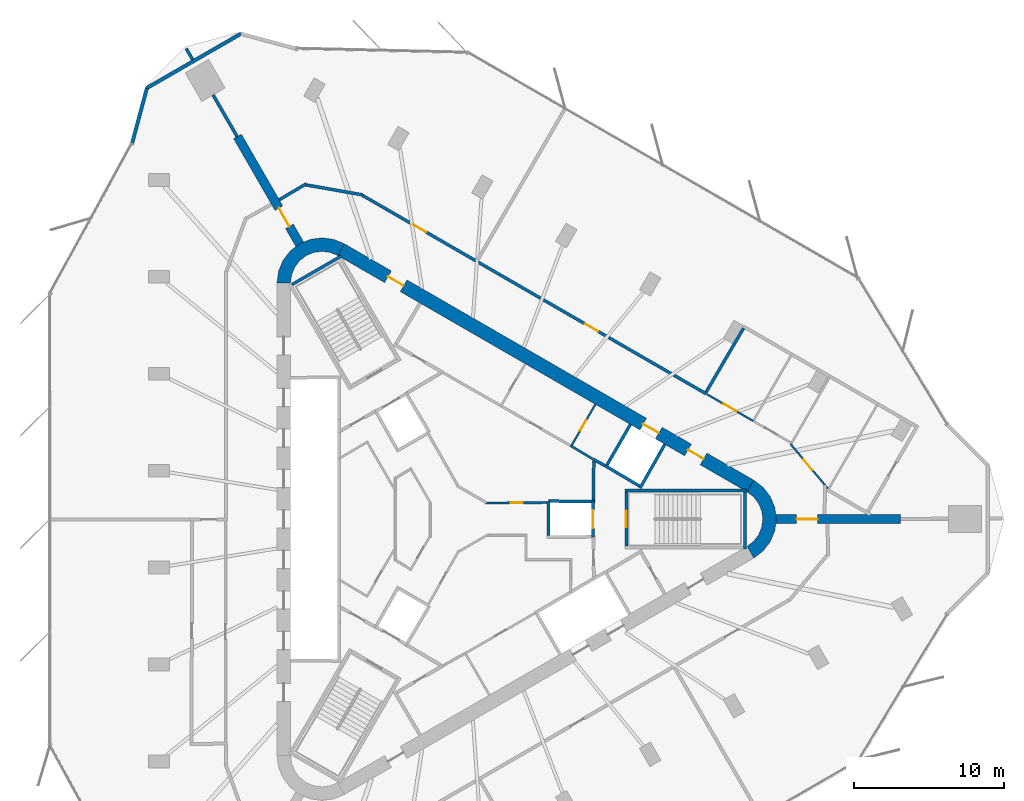
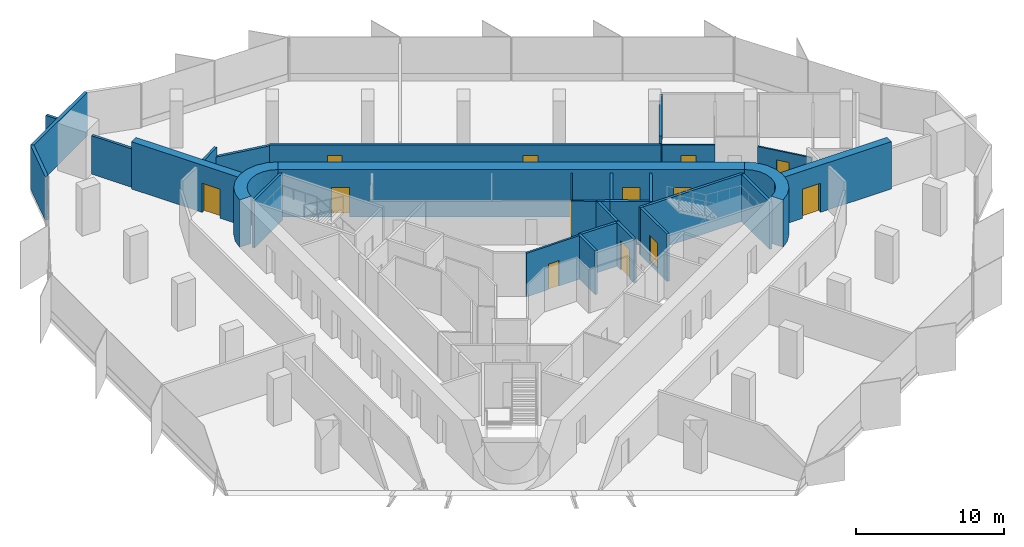
# One storey, part 10 of 12: 30 walls, 13 doors, 13 openings.
"""IFC4 building model written with IfcOpenShell, lengths in metres."""

from ifc_helpers import new_model, si_unit, direction, frame, frame_2d, origin, place, context, subcontext, project, spatial, polyline, rectangle, outline, extrude, material, layer, layer_set, type_object, element, fill, save


model = new_model("IFC4")

# Units and contexts
model_context = context("Model", 3, precision=1e-05, world=origin(), true_north=direction((0.0, 1.0)))
body_context = subcontext(model_context, "Body", "Model", "MODEL_VIEW")
ifc_project = project(units=[si_unit("LENGTHUNIT", "METRE"), si_unit("AREAUNIT", "SQUARE_METRE"), si_unit("VOLUMEUNIT", "CUBIC_METRE"), si_unit("PLANEANGLEUNIT", "RADIAN"), si_unit("MASSUNIT", "GRAM", prefix="KILO")], contexts=[model_context])

# Site, building, storey
site_placement = place(None, origin())
site = spatial("IfcSite", under=ifc_project, at=site_placement, CompositionType="ELEMENT")
building_placement = place(site_placement, origin())
building = spatial("IfcBuilding", under=site, at=building_placement, Name="Tanit Gate Tower", CompositionType="ELEMENT")
storey_placement = place(building_placement, frame((0.0, 0.0, 337.699951171875)))
storey = spatial("IfcBuildingStorey", under=building, at=storey_placement, Name="L76", CompositionType="ELEMENT", Elevation=337.699951171875)

# Wall, opening, door
ifc_material_1 = material(Name="Concrete C40/50", Category="concrete")
ifc_layer_1 = layer(ifc_material_1, 0.60009765625)
ifc_layer_set_1 = layer_set([ifc_layer_1], Name="BUTTRESS FIN 600 C40/50")
wall_type_1 = type_object("IfcWallType", Name="BUTTRESS FIN 600 C40/50", PredefinedType="SHEAR", material=ifc_layer_set_1)
wall_1_placement = place(storey_placement, frame((21.14990234375, 0.0, 0.0), z_axis=(0.0, 0.0, 1.0), x_axis=(1.0, 0.0, 0.0)))
wall_1 = element("IfcWall", 1, at=wall_1_placement, inside=storey, type_object=wall_type_1, Name="BUTTRESS FIN", PredefinedType="SHEAR", context=body_context, shape_type="SweptSolid", body=[
    extrude(rectangle(XDim=8.32080078125, YDim=0.60009765625, at=frame_2d((4.160400390625, 0.0))), origin(), (0.0, 0.0, 1.0), 3.900146484375),
])
opening_1_placement = place(wall_1_placement, frame((1.39990234375, 0.0, 0.0)))
opening_1 = element("IfcOpeningElement", 2, at=opening_1_placement, cuts=wall_1, Name="Opening P14-S21-F-E-1", PredefinedType="OPENING", context=body_context, shape_type="SweptSolid", body=[
    extrude(rectangle(XDim=1.39990234375, YDim=2.39990234375, at=frame_2d((0.699951171875, 1.199951171875))), frame((0.0, 0.31005859375, 0.0), z_axis=(0.0, -1.0, 0.0), x_axis=(1.0, 0.0, 0.0)), (0.0, 0.0, 1.0), 0.6201171875),
])
ifc_material_2 = material(Name="Timber door leaf", Category="wood")
door_type_1 = type_object("IfcDoorType", Name="INT-DOOR-FIN-PAIR-1400", OperationType="NOTDEFINED", PredefinedType="NOTDEFINED", material=ifc_material_2)
door_1_placement = place(opening_1_placement, origin())
door_1 = element("IfcDoor", 3, at=door_1_placement, inside=storey, type_object=door_type_1, Name="Door P14-S21-F-E-1", OperationType="DOUBLE_DOOR_SINGLE_SWING", OverallHeight=2.39990234375, OverallWidth=1.39990234375, PredefinedType="NOTDEFINED", context=body_context, shape_type="SweptSolid", body=[
    extrude(rectangle(XDim=1.39990234375, YDim=2.39990234375, at=frame_2d((0.699951171875, 1.199951171875))), frame((0.0, 0.02490234375, 0.0), z_axis=(0.0, -1.0, 0.0), x_axis=(1.0, 0.0, 0.0)), (0.0, 0.0, 1.0), 0.050048828125),
])
fill(opening_1, door_1)

wall_2_placement = place(storey_placement, frame((-10.574951171875, 18.31640625, 0.0), z_axis=(0.0, 0.0, 1.0), x_axis=(-0.499998447599, 0.866026300061, 0.0)))
wall_2 = element("IfcWall", 4, at=wall_2_placement, inside=storey, type_object=wall_type_1, Name="BUTTRESS FIN", PredefinedType="SHEAR", context=body_context, shape_type="SweptSolid", body=[
    extrude(rectangle(XDim=8.32080078125, YDim=0.60009765625, at=frame_2d((4.160400390625, 0.0))), origin(), (0.0, 0.0, 1.0), 3.900146484375),
])
opening_2_placement = place(wall_2_placement, frame((1.39990234375, 0.0, 0.0)))
opening_2 = element("IfcOpeningElement", 5, at=opening_2_placement, cuts=wall_2, Name="Opening P14-S21-F-NW-1", PredefinedType="OPENING", context=body_context, shape_type="SweptSolid", body=[
    extrude(rectangle(XDim=1.39990234375, YDim=2.39990234375, at=frame_2d((0.699951171875, 1.199951171875))), frame((0.0, 0.31005859375, 0.0), z_axis=(0.0, -1.0, 0.0), x_axis=(1.0, 0.0, 0.0)), (0.0, 0.0, 1.0), 0.6201171875),
])
door_2_placement = place(opening_2_placement, origin())
door_2 = element("IfcDoor", 6, at=door_2_placement, inside=storey, type_object=door_type_1, Name="Door P14-S21-F-NW-1", OperationType="DOUBLE_DOOR_SINGLE_SWING", OverallHeight=2.39990234375, OverallWidth=1.39990234375, PredefinedType="NOTDEFINED", context=body_context, shape_type="SweptSolid", body=[
    extrude(rectangle(XDim=1.39990234375, YDim=2.39990234375, at=frame_2d((0.699951171875, 1.199951171875))), frame((0.0, 0.02490234375, 0.0), z_axis=(0.0, -1.0, 0.0), x_axis=(1.0, 0.0, 0.0)), (0.0, 0.0, 1.0), 0.050048828125),
])
fill(opening_2, door_2)

# Wall, openings, doors
ifc_material_3 = material(Name="Concrete C40/50", Category="concrete")
ifc_layer_2 = layer(ifc_material_3, 0.89990234375)
ifc_layer_set_2 = layer_set([ifc_layer_2], Name="CORE WALL 900 C40/50")
wall_type_2 = type_object("IfcWallType", Name="CORE WALL 900 C40/50", PredefinedType="SHEAR", material=ifc_layer_set_2)
wall_3_placement = place(storey_placement, frame((19.47509765625, 2.20849609375, 0.0), z_axis=(0.0, 0.0, 1.0), x_axis=(-0.866028369851, 0.499994862586, 0.0)))
wall_3 = element("IfcWall", 7, at=wall_3_placement, inside=storey, type_object=wall_type_2, Name="CORE WALL", PredefinedType="SHEAR", context=body_context, shape_type="SweptSolid", body=[
    extrude(rectangle(XDim=31.523193359375, YDim=0.89990234375, at=frame_2d((15.76171875, 0.0))), origin(), (0.0, 0.0, 1.0), 3.900146484375),
])
opening_3_placement = place(wall_3_placement, frame((7.0615234375, 0.0, 0.0)))
opening_3 = element("IfcOpeningElement", 8, at=opening_3_placement, cuts=wall_3, Name="Opening LDHL8-S21", PredefinedType="OPENING", context=body_context, shape_type="SweptSolid", body=[
    extrude(rectangle(XDim=1.199951171875, YDim=2.39990234375, at=frame_2d((0.60009765625, 1.199951171875))), frame((0.0, 0.4599609375, 0.0), z_axis=(0.0, -1.0, 0.0), x_axis=(1.0, 0.0, 0.0)), (0.0, 0.0, 1.0), 0.919921875),
])
opening_4_placement = place(wall_3_placement, frame((3.611572265625, 0.0, 0.0)))
opening_4 = element("IfcOpeningElement", 9, at=opening_4_placement, cuts=wall_3, Name="Opening F12-S21-FL1", PredefinedType="OPENING", context=body_context, shape_type="SweptSolid", body=[
    extrude(rectangle(XDim=1.199951171875, YDim=2.39990234375, at=frame_2d((0.60009765625, 1.199951171875))), frame((0.0, 0.4599609375, 0.0), z_axis=(0.0, -1.0, 0.0), x_axis=(1.0, 0.0, 0.0)), (0.0, 0.0, 1.0), 0.919921875),
])
opening_5_placement = place(wall_3_placement, frame((26.711669921875, 0.0, 0.0)))
opening_5 = element("IfcOpeningElement", 10, at=opening_5_placement, cuts=wall_3, Name="Opening F12-S21-S2", PredefinedType="OPENING", context=body_context, shape_type="SweptSolid", body=[
    extrude(rectangle(XDim=1.199951171875, YDim=2.39990234375, at=frame_2d((0.60009765625, 1.199951171875))), frame((0.0, 0.4599609375, 0.0), z_axis=(0.0, -1.0, 0.0), x_axis=(1.0, 0.0, 0.0)), (0.0, 0.0, 1.0), 0.919921875),
])
ifc_material_4 = material(Name="Fire-rated steel door leaf", Category="steel")
door_type_2 = type_object("IfcDoorType", Name="INT-DOOR-FIRE-LOBBY-1200", OperationType="NOTDEFINED", PredefinedType="USERDEFINED", material=ifc_material_4)
door_3_placement = place(opening_4_placement, origin())
door_3 = element("IfcDoor", 11, at=door_3_placement, inside=storey, type_object=door_type_2, Name="Door F12-S21-FL1", ObjectType="FIRE DOOR", OperationType="SINGLE_SWING_LEFT", OverallHeight=2.39990234375, OverallWidth=1.199951171875, PredefinedType="USERDEFINED", context=body_context, shape_type="SweptSolid", body=[
    extrude(rectangle(XDim=1.199951171875, YDim=2.39990234375, at=frame_2d((0.60009765625, 1.199951171875))), frame((0.0, 0.02490234375, 0.0), z_axis=(0.0, -1.0, 0.0), x_axis=(1.0, 0.0, 0.0)), (0.0, 0.0, 1.0), 0.050048828125),
])
fill(opening_4, door_3)
door_4_placement = place(opening_5_placement, origin())
door_4 = element("IfcDoor", 12, at=door_4_placement, inside=storey, type_object=door_type_2, Name="Door F12-S21-S2", ObjectType="FIRE DOOR", OperationType="SINGLE_SWING_LEFT", OverallHeight=2.39990234375, OverallWidth=1.199951171875, PredefinedType="USERDEFINED", context=body_context, shape_type="SweptSolid", body=[
    extrude(rectangle(XDim=1.199951171875, YDim=2.39990234375, at=frame_2d((0.60009765625, 1.199951171875))), frame((0.0, 0.02490234375, 0.0), z_axis=(0.0, -1.0, 0.0), x_axis=(1.0, 0.0, 0.0)), (0.0, 0.0, 1.0), 0.050048828125),
])
fill(opening_5, door_4)
ifc_material_5 = material(Name="Stainless steel sliding door leaf", Category="steel")
door_type_3 = type_object("IfcDoorType", Name="INT-DOOR-LANDING-1200", OperationType="NOTDEFINED", PredefinedType="USERDEFINED", material=ifc_material_5)
door_5_placement = place(opening_3_placement, origin())
door_5 = element("IfcDoor", 13, at=door_5_placement, inside=storey, type_object=door_type_3, Name="Door LDHL8-S21", ObjectType="LANDING DOOR", OperationType="SLIDING_TO_LEFT", OverallHeight=2.39990234375, OverallWidth=1.199951171875, PredefinedType="USERDEFINED", context=body_context, shape_type="SweptSolid", body=[
    extrude(rectangle(XDim=1.199951171875, YDim=2.39990234375, at=frame_2d((0.60009765625, 1.199951171875))), frame((0.0, 0.02490234375, 0.0), z_axis=(0.0, -1.0, 0.0), x_axis=(1.0, 0.0, 0.0)), (0.0, 0.0, 1.0), 0.050048828125),
])
fill(opening_3, door_5)

# Walls
wall_4_placement = place(storey_placement, origin())
element("IfcWall", 14, at=wall_4_placement, inside=storey, type_object=wall_type_2, Name="CORE WALL CORNER", PredefinedType="SHEAR", context=body_context, shape_type="SweptSolid", body=[
    extrude(outline(polyline([(-7.60009765625, 18.359619140625), (-8.323486328125, 18.659423828125), (-9.10009765625, 18.76171875), (-9.87646484375, 18.659423828125), (-10.60009765625, 18.359619140625), (-11.22119140625, 17.883056640625), (-11.697998046875, 17.26171875), (-11.997802734375, 16.5380859375), (-12.10009765625, 15.76171875), (-11.199951171875, 15.76171875), (-11.12841796875, 16.30517578125), (-10.918701171875, 16.811767578125), (-10.5849609375, 17.24658203125), (-10.14990234375, 17.580322265625), (-9.6435546875, 17.7900390625), (-9.10009765625, 17.86181640625), (-8.556396484375, 17.7900390625), (-8.050048828125, 17.580322265625), (-7.60009765625, 18.359619140625)])), origin(), (0.0, 0.0, 1.0), 3.900146484375),
])
wall_5_placement = place(storey_placement, origin())
element("IfcWall", 15, at=wall_5_placement, inside=storey, type_object=wall_type_2, Name="CORE WALL CORNER", PredefinedType="SHEAR", context=body_context, shape_type="SweptSolid", body=[
    extrude(outline(polyline([(19.699951171875, -2.59814453125), (20.3212890625, -2.121337890625), (20.798095703125, -1.5), (21.097900390625, -0.776611328125), (21.199951171875, 0.0), (21.097900390625, 0.776611328125), (20.798095703125, 1.5), (20.3212890625, 2.121337890625), (19.699951171875, 2.59814453125), (19.25, 1.818603515625), (19.684814453125, 1.48486328125), (20.018798828125, 1.050048828125), (20.228515625, 0.54345703125), (20.300048828125, 0.0), (20.228515625, -0.54345703125), (20.018798828125, -1.050048828125), (19.684814453125, -1.48486328125), (19.25, -1.818603515625), (19.699951171875, -2.59814453125)])), origin(), (0.0, 0.0, 1.0), 3.900146484375),
])
ifc_material_6 = material(Name="Concrete C30/37 with bronze anodised aluminium cladding", Category="concrete")
ifc_layer_3 = layer(ifc_material_6, 0.239990234375)
ifc_layer_set_3 = layer_set([ifc_layer_3], Name="Facade wall bronze clad 240")
wall_type_3 = type_object("IfcWallType", Name="Facade wall bronze clad 240", PredefinedType="SOLIDWALL", material=ifc_layer_set_3)
wall_6_placement = place(storey_placement, frame((-14.509521484375, 32.375244140625, 0.0), z_axis=(0.0, 0.0, 1.0), x_axis=(-0.866019457076, -0.500010299859, 0.0)))
element("IfcWall", 16, at=wall_6_placement, inside=storey, type_object=wall_type_3, Name="Bronze-clad facade wall L76 NW.arc2", PredefinedType="SOLIDWALL", context=body_context, shape_type="SweptSolid", body=[
    extrude(rectangle(XDim=7.243896484375, YDim=0.239990234375, at=frame_2d((3.6220703125, 0.0))), origin(), (0.0, 0.0, 1.0), 3.60009765625),
])
wall_7_placement = place(storey_placement, frame((-20.782958984375, 28.753173828125, 0.0), z_axis=(0.0, 0.0, 1.0), x_axis=(-0.258843233206, -0.965919344782, 0.0)))
element("IfcWall", 17, at=wall_7_placement, inside=storey, type_object=wall_type_3, Name="Bronze-clad facade wall L76 NW.arc3", PredefinedType="SOLIDWALL", context=body_context, shape_type="SweptSolid", body=[
    extrude(rectangle(XDim=3.79638671875, YDim=0.239990234375, at=frame_2d((1.898193359375, 0.0))), origin(), (0.0, 0.0, 1.0), 3.60009765625),
])
ifc_material_7 = material(Name="Fire-rated gypsum board partition")
ifc_layer_4 = layer(ifc_material_7, 0.199951171875)
ifc_layer_set_4 = layer_set([ifc_layer_4], Name="INT-WALL-COMPARTMENT")
wall_type_4 = type_object("IfcWallType", Name="INT-WALL-COMPARTMENT", PredefinedType="PARTITIONING", material=ifc_layer_set_4)
wall_8_placement = place(storey_placement, frame((8.97412109375, 3.998779296875, 0.0), z_axis=(0.0, 0.0, 1.0), x_axis=(0.880917147855, -0.473270513147, 0.0)))
element("IfcWall", 18, at=wall_8_placement, inside=storey, type_object=wall_type_4, Name="Wall Compartment W045", PredefinedType="PARTITIONING", context=body_context, shape_type="SweptSolid", body=[
    extrude(rectangle(XDim=0.8779296875, YDim=0.199951171875, at=frame_2d((0.43896484375, 0.0))), origin(), (0.0, 0.0, 1.0), 3.60009765625),
])
wall_9_placement = place(storey_placement, frame((9.0009765625, 1.27001953125, 0.0), z_axis=(0.0, 0.0, 1.0), x_axis=(0.010751103362, 0.999942205218, 0.0)))
element("IfcWall", 19, at=wall_9_placement, inside=storey, type_object=wall_type_4, Name="Wall Compartment W059", PredefinedType="PARTITIONING", context=body_context, shape_type="SweptSolid", body=[
    extrude(rectangle(XDim=2.72509765625, YDim=0.199951171875, at=frame_2d((1.362548828125, 0.0))), origin(), (0.0, 0.0, 1.0), 3.60009765625),
])
wall_10_placement = place(storey_placement, frame((-10.154541015625, 22.3671875, 0.0), z_axis=(0.0, 0.0, 1.0), x_axis=(-0.859343009577, -0.511399640097, 0.0)))
element("IfcWall", 20, at=wall_10_placement, inside=storey, type_object=wall_type_4, Name="Wall Compartment W094", PredefinedType="PARTITIONING", context=body_context, shape_type="SweptSolid", body=[
    extrude(rectangle(XDim=2.089599609375, YDim=0.199951171875, at=frame_2d((1.044921875, 0.0))), origin(), (0.0, 0.0, 1.0), 3.60009765625),
])
wall_11_placement = place(storey_placement, frame((-6.389404296875, 21.626220703125, 0.0), z_axis=(0.0, 0.0, 1.0), x_axis=(-0.984802578286, 0.173677522442, 0.0)))
element("IfcWall", 21, at=wall_11_placement, inside=storey, type_object=wall_type_4, Name="Wall Compartment W095", PredefinedType="PARTITIONING", context=body_context, shape_type="SweptSolid", body=[
    extrude(rectangle(XDim=3.87548828125, YDim=0.199951171875, at=frame_2d((1.937744140625, 0.0))), origin(), (0.0, 0.0, 1.0), 2.880126953125),
])

# Wall, openings, doors
wall_12_placement = place(storey_placement, frame((16.52294921875, 8.3583984375, 0.0), z_axis=(0.0, 0.0, 1.0), x_axis=(-0.866025545866, 0.499999753908, 0.0)))
wall_12 = element("IfcWall", 22, at=wall_12_placement, inside=storey, type_object=wall_type_4, Name="Wall Compartment W097", PredefinedType="PARTITIONING", context=body_context, shape_type="SweptSolid", body=[
    extrude(rectangle(XDim=26.470703125, YDim=0.199951171875, at=frame_2d((13.2353515625, 0.0))), origin(), (0.0, 0.0, 1.0), 2.969970703125),
])
opening_6_placement = place(wall_12_placement, frame((21.567626953125, 0.0, 0.0)))
opening_6 = element("IfcOpeningElement", 23, at=opening_6_placement, cuts=wall_12, Name="Opening F10-S21-28", PredefinedType="OPENING", context=body_context, shape_type="SweptSolid", body=[
    extrude(rectangle(XDim=1.0, YDim=2.10009765625, at=frame_2d((0.5, 1.050048828125))), frame((0.0, 0.10986328125, 0.0), z_axis=(0.0, -1.0, 0.0), x_axis=(1.0, 0.0, 0.0)), (0.0, 0.0, 1.0), 0.219970703125),
])
opening_7_placement = place(wall_12_placement, frame((8.33251953125, 0.0, 0.0)))
opening_7 = element("IfcOpeningElement", 24, at=opening_7_placement, cuts=wall_12, Name="Opening F10-S21-29", PredefinedType="OPENING", context=body_context, shape_type="SweptSolid", body=[
    extrude(rectangle(XDim=1.0, YDim=2.10009765625, at=frame_2d((0.5, 1.050048828125))), frame((0.0, 0.10986328125, 0.0), z_axis=(0.0, -1.0, 0.0), x_axis=(1.0, 0.0, 0.0)), (0.0, 0.0, 1.0), 0.219970703125),
])
ifc_material_8 = material(Name="Fire-rated steel door leaf", Category="steel")
door_type_4 = type_object("IfcDoorType", Name="INT-DOOR-FIRE-1000", OperationType="NOTDEFINED", PredefinedType="USERDEFINED", material=ifc_material_8)
door_6_placement = place(opening_6_placement, origin())
door_6 = element("IfcDoor", 25, at=door_6_placement, inside=storey, type_object=door_type_4, Name="Door F10-S21-28", ObjectType="FIRE DOOR", OperationType="SINGLE_SWING_RIGHT", OverallHeight=2.10009765625, OverallWidth=1.0, PredefinedType="USERDEFINED", context=body_context, shape_type="SweptSolid", body=[
    extrude(rectangle(XDim=1.0, YDim=2.10009765625, at=frame_2d((0.5, 1.050048828125))), frame((0.0, 0.02490234375, 0.0), z_axis=(0.0, -1.0, 0.0), x_axis=(1.0, 0.0, 0.0)), (0.0, 0.0, 1.0), 0.050048828125),
])
fill(opening_6, door_6)
door_7_placement = place(opening_7_placement, origin())
door_7 = element("IfcDoor", 26, at=door_7_placement, inside=storey, type_object=door_type_4, Name="Door F10-S21-29", ObjectType="FIRE DOOR", OperationType="SINGLE_SWING_RIGHT", OverallHeight=2.10009765625, OverallWidth=1.0, PredefinedType="USERDEFINED", context=body_context, shape_type="SweptSolid", body=[
    extrude(rectangle(XDim=1.0, YDim=2.10009765625, at=frame_2d((0.5, 1.050048828125))), frame((0.0, 0.02490234375, 0.0), z_axis=(0.0, -1.0, 0.0), x_axis=(1.0, 0.0, 0.0)), (0.0, 0.0, 1.0), 0.050048828125),
])
fill(opening_7, door_7)

# Walls
wall_13_placement = place(storey_placement, frame((-14.761474609375, 25.50732421875, 0.0), z_axis=(0.0, 0.0, 1.0), x_axis=(-0.499967746641, 0.866044024469, 0.0)))
element("IfcWall", 27, at=wall_13_placement, inside=storey, type_object=wall_type_4, Name="Wall Compartment W113", PredefinedType="PARTITIONING", context=body_context, shape_type="SweptSolid", body=[
    extrude(rectangle(XDim=3.216552734375, YDim=0.199951171875, at=frame_2d((1.6083984375, 0.0))), origin(), (0.0, 0.0, 1.0), 3.170166015625),
])
wall_14_placement = place(storey_placement, frame((-17.732177734375, 30.653076171875, 0.0), z_axis=(0.0, 0.0, 1.0), x_axis=(-0.499973348067, 0.866040790738, 0.0)))
element("IfcWall", 28, at=wall_14_placement, inside=storey, type_object=wall_type_4, Name="Wall Compartment W112", PredefinedType="PARTITIONING", context=body_context, shape_type="SweptSolid", body=[
    extrude(rectangle(XDim=0.84228515625, YDim=0.199951171875, at=frame_2d((0.421142578125, 0.0))), origin(), (0.0, 0.0, 1.0), 3.60009765625),
])
wall_15_placement = place(storey_placement, frame((16.521484375, 8.474609375, 0.0), z_axis=(0.0, 0.0, 1.0), x_axis=(0.505019065689, 0.863108187477, 0.0)))
element("IfcWall", 29, at=wall_15_placement, inside=storey, type_object=wall_type_4, Name="Wall Compartment W118", PredefinedType="PARTITIONING", context=body_context, shape_type="SweptSolid", body=[
    extrude(rectangle(XDim=4.929931640625, YDim=0.199951171875, at=frame_2d((2.46484375, 0.0))), origin(), (0.0, 0.0, 1.0), 3.60009765625),
])

# Wall, opening, door
ifc_material_9 = material(Name="Gypsum board partition")
ifc_layer_5 = layer(ifc_material_9, 0.1201171875)
ifc_layer_set_5 = layer_set([ifc_layer_5], Name="INT-WALL-PARTITION")
wall_type_5 = type_object("IfcWallType", Name="INT-WALL-PARTITION", PredefinedType="PARTITIONING", material=ifc_layer_set_5)
wall_16_placement = place(storey_placement, frame((7.50830078125, 4.844970703125, 0.0), z_axis=(0.0, 0.0, 1.0), x_axis=(0.500017246033, 0.866015446554, 0.0)))
wall_16 = element("IfcWall", 30, at=wall_16_placement, inside=storey, type_object=wall_type_5, Name="Wall Partition W044", PredefinedType="PARTITIONING", context=body_context, shape_type="SweptSolid", body=[
    extrude(rectangle(XDim=3.25, YDim=0.1201171875, at=frame_2d((1.625, 0.0))), origin(), (0.0, 0.0, 1.0), 3.60009765625),
])
opening_8_placement = place(wall_16_placement, frame((1.22509765625, 0.0, 0.0)))
opening_8 = element("IfcOpeningElement", 31, at=opening_8_placement, cuts=wall_16, Name="Opening R08-S21-14", PredefinedType="OPENING", context=body_context, shape_type="SweptSolid", body=[
    extrude(rectangle(XDim=0.800048828125, YDim=2.10009765625, at=frame_2d((0.39990234375, 1.050048828125))), frame((0.0, 0.070068359375, 0.0), z_axis=(0.0, -1.0, 0.0), x_axis=(1.0, 0.0, 0.0)), (0.0, 0.0, 1.0), 0.14013671875),
])
ifc_material_10 = material(Name="Timber door leaf", Category="wood")
door_type_5 = type_object("IfcDoorType", Name="INT-DOOR-RISER-800", OperationType="NOTDEFINED", PredefinedType="USERDEFINED", material=ifc_material_10)
door_8_placement = place(opening_8_placement, origin())
door_8 = element("IfcDoor", 32, at=door_8_placement, inside=storey, type_object=door_type_5, Name="Door R08-S21-14", ObjectType="FIRE DOOR", OperationType="SINGLE_SWING_RIGHT", OverallHeight=2.10009765625, OverallWidth=0.800048828125, PredefinedType="USERDEFINED", context=body_context, shape_type="SweptSolid", body=[
    extrude(rectangle(XDim=0.800048828125, YDim=2.10009765625, at=frame_2d((0.39990234375, 1.050048828125))), frame((0.0, 0.02490234375, 0.0), z_axis=(0.0, -1.0, 0.0), x_axis=(1.0, 0.0, 0.0)), (0.0, 0.0, 1.0), 0.050048828125),
])
fill(opening_8, door_8)

wall_17_placement = place(storey_placement, frame((19.6640625, 6.544921875, 0.0), z_axis=(0.0, 0.0, 1.0), x_axis=(-0.866048453834, 0.499960074017, 0.0)))
wall_17 = element("IfcWall", 33, at=wall_17_placement, inside=storey, type_object=wall_type_5, Name="Wall Partition W099", PredefinedType="PARTITIONING", context=body_context, shape_type="SweptSolid", body=[
    extrude(rectangle(XDim=3.587158203125, YDim=0.1201171875, at=frame_2d((1.79345703125, 0.0))), origin(), (0.0, 0.0, 1.0), 2.969970703125),
])
opening_9_placement = place(wall_17_placement, frame((1.293701171875, 0.0, 0.0)))
opening_9 = element("IfcOpeningElement", 34, at=opening_9_placement, cuts=wall_17, Name="Opening D10-S21-22", PredefinedType="OPENING", context=body_context, shape_type="SweptSolid", body=[
    extrude(rectangle(XDim=1.0, YDim=2.10009765625, at=frame_2d((0.5, 1.050048828125))), frame((0.0, 0.070068359375, 0.0), z_axis=(0.0, -1.0, 0.0), x_axis=(1.0, 0.0, 0.0)), (0.0, 0.0, 1.0), 0.14013671875),
])
ifc_material_11 = material(Name="Timber door leaf", Category="wood")
door_type_6 = type_object("IfcDoorType", Name="INT-DOOR-SINGLE-1000", OperationType="NOTDEFINED", PredefinedType="NOTDEFINED", material=ifc_material_11)
door_9_placement = place(opening_9_placement, origin())
door_9 = element("IfcDoor", 35, at=door_9_placement, inside=storey, type_object=door_type_6, Name="Door D10-S21-22", OperationType="SINGLE_SWING_LEFT", OverallHeight=2.10009765625, OverallWidth=1.0, PredefinedType="NOTDEFINED", context=body_context, shape_type="SweptSolid", body=[
    extrude(rectangle(XDim=1.0, YDim=2.10009765625, at=frame_2d((0.5, 1.050048828125))), frame((0.0, 0.02490234375, 0.0), z_axis=(0.0, -1.0, 0.0), x_axis=(1.0, 0.0, 0.0)), (0.0, 0.0, 1.0), 0.050048828125),
])
fill(opening_9, door_9)

wall_18_placement = place(storey_placement, frame((24.639892578125, 2.042724609375, 0.0), z_axis=(0.0, 0.0, 1.0), x_axis=(-0.642784930138, 0.766046691519, 0.0)))
wall_18 = element("IfcWall", 36, at=wall_18_placement, inside=storey, type_object=wall_type_5, Name="Wall Partition W101", PredefinedType="PARTITIONING", context=body_context, shape_type="SweptSolid", body=[
    extrude(rectangle(XDim=3.882080078125, YDim=0.1201171875, at=frame_2d((1.94091796875, 0.0))), origin(), (0.0, 0.0, 1.0), 2.880126953125),
])
opening_10_placement = place(wall_18_placement, frame((1.62060546875, 0.0, 0.0)))
opening_10 = element("IfcOpeningElement", 37, at=opening_10_placement, cuts=wall_18, Name="Opening D09-S21-24", PredefinedType="OPENING", context=body_context, shape_type="SweptSolid", body=[
    extrude(rectangle(XDim=0.89990234375, YDim=2.10009765625, at=frame_2d((0.449951171875, 1.050048828125))), frame((0.0, 0.070068359375, 0.0), z_axis=(0.0, -1.0, 0.0), x_axis=(1.0, 0.0, 0.0)), (0.0, 0.0, 1.0), 0.14013671875),
])
ifc_material_12 = material(Name="Timber door leaf", Category="wood")
door_type_7 = type_object("IfcDoorType", Name="INT-DOOR-SINGLE-900", OperationType="NOTDEFINED", PredefinedType="NOTDEFINED", material=ifc_material_12)
door_10_placement = place(opening_10_placement, origin())
door_10 = element("IfcDoor", 38, at=door_10_placement, inside=storey, type_object=door_type_7, Name="Door D09-S21-24", OperationType="SINGLE_SWING_RIGHT", OverallHeight=2.10009765625, OverallWidth=0.89990234375, PredefinedType="NOTDEFINED", context=body_context, shape_type="SweptSolid", body=[
    extrude(rectangle(XDim=0.89990234375, YDim=2.10009765625, at=frame_2d((0.449951171875, 1.050048828125))), frame((0.0, 0.02490234375, 0.0), z_axis=(0.0, -1.0, 0.0), x_axis=(1.0, 0.0, 0.0)), (0.0, 0.0, 1.0), 0.050048828125),
])
fill(opening_10, door_10)

# Wall
ifc_material_13 = material(Name="Fire-rated gypsum board partition")
ifc_layer_6 = layer(ifc_material_13, 0.14990234375)
ifc_layer_set_6 = layer_set([ifc_layer_6], Name="INT-WALL-RISER")
wall_type_6 = type_object("IfcWallType", Name="INT-WALL-RISER", PredefinedType="PLUMBINGWALL", material=ifc_layer_set_6)
wall_19_placement = place(storey_placement, frame((8.9306640625, 4.026123046875, 0.0), z_axis=(0.0, 0.0, 1.0), x_axis=(-0.857531586833, 0.514431314738, 0.0)))
element("IfcWall", 39, at=wall_19_placement, inside=storey, type_object=wall_type_6, Name="Wall Riser W046", PredefinedType="PLUMBINGWALL", context=body_context, shape_type="SweptSolid", body=[
    extrude(rectangle(XDim=1.67138671875, YDim=0.14990234375, at=frame_2d((0.835693359375, 0.0))), origin(), (0.0, 0.0, 1.0), 3.60009765625),
])

# Wall, opening, door
wall_20_placement = place(storey_placement, frame((1.777587890625, 1.073974609375, 0.0), z_axis=(0.0, 0.0, 1.0), x_axis=(0.999973898196, 0.007225159347, 0.0)))
wall_20 = element("IfcWall", 40, at=wall_20_placement, inside=storey, type_object=wall_type_6, Name="Wall Riser W065", PredefinedType="PLUMBINGWALL", context=body_context, shape_type="SweptSolid", body=[
    extrude(rectangle(XDim=4.122314453125, YDim=0.14990234375, at=frame_2d((2.06103515625, 0.0))), origin(), (0.0, 0.0, 1.0), 3.60009765625),
])
opening_11_placement = place(wall_20_placement, frame((1.72509765625, 0.0, 0.0)))
opening_11 = element("IfcOpeningElement", 41, at=opening_11_placement, cuts=wall_20, Name="Opening R08-S21-10", PredefinedType="OPENING", context=body_context, shape_type="SweptSolid", body=[
    extrude(rectangle(XDim=0.800048828125, YDim=2.10009765625, at=frame_2d((0.39990234375, 1.050048828125))), frame((0.0, 0.0849609375, 0.0), z_axis=(0.0, -1.0, 0.0), x_axis=(1.0, 0.0, 0.0)), (0.0, 0.0, 1.0), 0.169921875),
])
door_11_placement = place(opening_11_placement, origin())
door_11 = element("IfcDoor", 42, at=door_11_placement, inside=storey, type_object=door_type_5, Name="Door R08-S21-10", ObjectType="FIRE DOOR", OperationType="SINGLE_SWING_LEFT", OverallHeight=2.10009765625, OverallWidth=0.800048828125, PredefinedType="USERDEFINED", context=body_context, shape_type="SweptSolid", body=[
    extrude(rectangle(XDim=0.800048828125, YDim=2.10009765625, at=frame_2d((0.39990234375, 1.050048828125))), frame((0.0, 0.02490234375, 0.0), z_axis=(0.0, -1.0, 0.0), x_axis=(1.0, 0.0, 0.0)), (0.0, 0.0, 1.0), 0.050048828125),
])
fill(opening_11, door_11)

# Walls
ifc_material_14 = material(Name="Gypsum shaft wall system")
ifc_layer_7 = layer(ifc_material_14, 0.199951171875)
ifc_layer_set_7 = layer_set([ifc_layer_7], Name="INT-WALL-SHAFT")
wall_type_7 = type_object("IfcWallType", Name="INT-WALL-SHAFT", PredefinedType="PLUMBINGWALL", material=ifc_layer_set_7)
wall_21_placement = place(storey_placement, frame((9.8466796875, 3.494873046875, 0.0), z_axis=(0.0, 0.0, 1.0), x_axis=(0.499984717929, 0.866034226713, 0.0)))
element("IfcWall", 43, at=wall_21_placement, inside=storey, type_object=wall_type_7, Name="Wall Shaft W012", PredefinedType="PLUMBINGWALL", context=body_context, shape_type="SweptSolid", body=[
    extrude(rectangle(XDim=3.25, YDim=0.199951171875, at=frame_2d((1.625, 0.0))), origin(), (0.0, 0.0, 1.0), 3.60009765625),
])
wall_22_placement = place(storey_placement, frame((12.10986328125, 2.07275390625, 0.0), z_axis=(0.0, 0.0, 1.0), x_axis=(0.49196600604, 0.870614408852, 0.0)))
element("IfcWall", 44, at=wall_22_placement, inside=storey, type_object=wall_type_7, Name="Wall Shaft W013", PredefinedType="PLUMBINGWALL", context=body_context, shape_type="SweptSolid", body=[
    extrude(rectangle(XDim=3.35009765625, YDim=0.199951171875, at=frame_2d((1.675048828125, 0.0))), origin(), (0.0, 0.0, 1.0), 3.60009765625),
])
wall_23_placement = place(storey_placement, frame((12.072998046875, 2.2109375, 0.0), z_axis=(0.0, 0.0, 1.0), x_axis=(-0.860414880418, 0.509594185166, 0.0)))
element("IfcWall", 45, at=wall_23_placement, inside=storey, type_object=wall_type_7, Name="Wall Shaft W014", PredefinedType="PLUMBINGWALL", context=body_context, shape_type="SweptSolid", body=[
    extrude(rectangle(XDim=2.7001953125, YDim=0.199951171875, at=frame_2d((1.35009765625, 0.0))), origin(), (0.0, 0.0, 1.0), 3.60009765625),
])

# Wall, opening, door
wall_24_placement = place(storey_placement, frame((8.969970703125, 1.199951171875, 0.0), z_axis=(0.0, 0.0, 1.0), x_axis=(0.0, -1.0, 0.0)))
wall_24 = element("IfcWall", 46, at=wall_24_placement, inside=storey, type_object=wall_type_7, Name="Wall Shaft W024", PredefinedType="PLUMBINGWALL", context=body_context, shape_type="SweptSolid", body=[
    extrude(rectangle(XDim=2.39990234375, YDim=0.199951171875, at=frame_2d((1.199951171875, 0.0))), origin(), (0.0, 0.0, 1.0), 3.60009765625),
])
opening_12_placement = place(wall_24_placement, frame((0.60009765625, 0.0, 0.0)))
opening_12 = element("IfcOpeningElement", 47, at=opening_12_placement, cuts=wall_24, Name="Opening LDFL1-L76", PredefinedType="OPENING", context=body_context, shape_type="SweptSolid", body=[
    extrude(rectangle(XDim=1.199951171875, YDim=2.39990234375, at=frame_2d((0.60009765625, 1.199951171875))), frame((0.0, 0.10986328125, 0.0), z_axis=(0.0, -1.0, 0.0), x_axis=(1.0, 0.0, 0.0)), (0.0, 0.0, 1.0), 0.219970703125),
])
door_12_placement = place(opening_12_placement, origin())
door_12 = element("IfcDoor", 48, at=door_12_placement, inside=storey, type_object=door_type_3, Name="Door LDFL1-L76", ObjectType="LANDING DOOR", OperationType="SLIDING_TO_LEFT", OverallHeight=2.39990234375, OverallWidth=1.199951171875, PredefinedType="USERDEFINED", context=body_context, shape_type="SweptSolid", body=[
    extrude(rectangle(XDim=1.199951171875, YDim=2.39990234375, at=frame_2d((0.60009765625, 1.199951171875))), frame((0.0, 0.02490234375, 0.0), z_axis=(0.0, -1.0, 0.0), x_axis=(1.0, 0.0, 0.0)), (0.0, 0.0, 1.0), 0.050048828125),
])
fill(opening_12, door_12)

# Walls
wall_25_placement = place(storey_placement, frame((6.0, 1.199951171875, 0.0), z_axis=(0.0, 0.0, 1.0), x_axis=(0.999949988, -0.010001074852, 0.0)))
element("IfcWall", 49, at=wall_25_placement, inside=storey, type_object=wall_type_7, Name="Wall Shaft W025", PredefinedType="PLUMBINGWALL", context=body_context, shape_type="SweptSolid", body=[
    extrude(rectangle(XDim=3.100341796875, YDim=0.199951171875, at=frame_2d((1.55029296875, 0.0))), origin(), (0.0, 0.0, 1.0), 3.60009765625),
])
wall_26_placement = place(storey_placement, frame((6.0, -1.10009765625, 0.0), z_axis=(0.0, 0.0, 1.0), x_axis=(0.0, 1.0, 0.0)))
element("IfcWall", 50, at=wall_26_placement, inside=storey, type_object=wall_type_7, Name="Wall Shaft W027", PredefinedType="PLUMBINGWALL", context=body_context, shape_type="SweptSolid", body=[
    extrude(rectangle(XDim=2.279541015625, YDim=0.199951171875, at=frame_2d((1.1396484375, 0.0))), origin(), (0.0, 0.0, 1.0), 3.60009765625),
])
ifc_material_15 = material(Name="Concrete C40/50", Category="concrete")
ifc_layer_8 = layer(ifc_material_15, 0.199951171875)
ifc_layer_set_8 = layer_set([ifc_layer_8], Name="INT-WALL-STAIR")
wall_type_8 = type_object("IfcWallType", Name="INT-WALL-STAIR", PredefinedType="SHEAR", material=ifc_layer_set_8)
wall_27_placement = place(storey_placement, frame((19.199951171875, 1.89990234375, -0.300048828125), z_axis=(0.0, 0.0, 1.0), x_axis=(-1.0, 0.0, 0.0)))
element("IfcWall", 51, at=wall_27_placement, inside=storey, type_object=wall_type_8, Name="Wall Stair W020", PredefinedType="SHEAR", context=body_context, shape_type="SweptSolid", body=[
    extrude(rectangle(XDim=8.099853515625, YDim=0.199951171875, at=frame_2d((4.0498046875, 0.0))), origin(), (0.0, 0.0, 1.0), 3.900146484375),
])
wall_28_placement = place(storey_placement, frame((19.10009765625, -2.0, -0.300048828125), z_axis=(0.0, 0.0, 1.0), x_axis=(0.0, 1.0, 0.0)))
element("IfcWall", 52, at=wall_28_placement, inside=storey, type_object=wall_type_8, Name="Wall Stair W021", PredefinedType="SHEAR", context=body_context, shape_type="SweptSolid", body=[
    extrude(rectangle(XDim=3.800048828125, YDim=0.199951171875, at=frame_2d((1.89990234375, 0.0))), origin(), (0.0, 0.0, 1.0), 3.900146484375),
])

# Wall, opening, door
wall_29_placement = place(storey_placement, frame((11.199951171875, -1.800048828125, -0.300048828125), z_axis=(0.0, 0.0, 1.0), x_axis=(0.0, 1.0, 0.0)))
wall_29 = element("IfcWall", 53, at=wall_29_placement, inside=storey, type_object=wall_type_8, Name="Wall Stair W023", PredefinedType="SHEAR", context=body_context, shape_type="SweptSolid", body=[
    extrude(rectangle(XDim=3.60009765625, YDim=0.199951171875, at=frame_2d((1.800048828125, 0.0))), origin(), (0.0, 0.0, 1.0), 3.900146484375),
])
opening_13_placement = place(wall_29_placement, frame((1.25, 0.0, 0.300048828125)))
opening_13 = element("IfcOpeningElement", 54, at=opening_13_placement, cuts=wall_29, Name="Opening S11-S21-01", PredefinedType="OPENING", context=body_context, shape_type="SweptSolid", body=[
    extrude(rectangle(XDim=1.10009765625, YDim=2.10009765625, at=frame_2d((0.550048828125, 1.050048828125))), frame((0.0, 0.10986328125, 0.0), z_axis=(0.0, -1.0, 0.0), x_axis=(1.0, 0.0, 0.0)), (0.0, 0.0, 1.0), 0.219970703125),
])
ifc_material_16 = material(Name="Timber door leaf", Category="wood")
door_type_8 = type_object("IfcDoorType", Name="INT-DOOR-STAIR-1100", OperationType="NOTDEFINED", PredefinedType="USERDEFINED", material=ifc_material_16)
door_13_placement = place(opening_13_placement, origin())
door_13 = element("IfcDoor", 55, at=door_13_placement, inside=storey, type_object=door_type_8, Name="Door S11-S21-01", ObjectType="FIRE DOOR", OperationType="SINGLE_SWING_LEFT", OverallHeight=2.10009765625, OverallWidth=1.10009765625, PredefinedType="USERDEFINED", context=body_context, shape_type="SweptSolid", body=[
    extrude(rectangle(XDim=1.10009765625, YDim=2.10009765625, at=frame_2d((0.550048828125, 1.050048828125))), frame((0.0, 0.02490234375, 0.0), z_axis=(0.0, -1.0, 0.0), x_axis=(1.0, 0.0, 0.0)), (0.0, 0.0, 1.0), 0.050048828125),
])
fill(opening_13, door_13)

# Wall
wall_30_placement = place(storey_placement, frame((-7.81787109375, 17.541015625, -0.300048828125), z_axis=(0.0, 0.0, 1.0), x_axis=(-0.866044365799, -0.499967155389, 0.0)))
element("IfcWall", 56, at=wall_30_placement, inside=storey, type_object=wall_type_8, Name="Wall Stair W029", PredefinedType="SHEAR", context=body_context, shape_type="SweptSolid", body=[
    extrude(rectangle(XDim=3.800048828125, YDim=0.199951171875, at=frame_2d((1.89990234375, 0.0))), origin(), (0.0, 0.0, 1.0), 3.900146484375),
])

save(model, "model.ifc")
